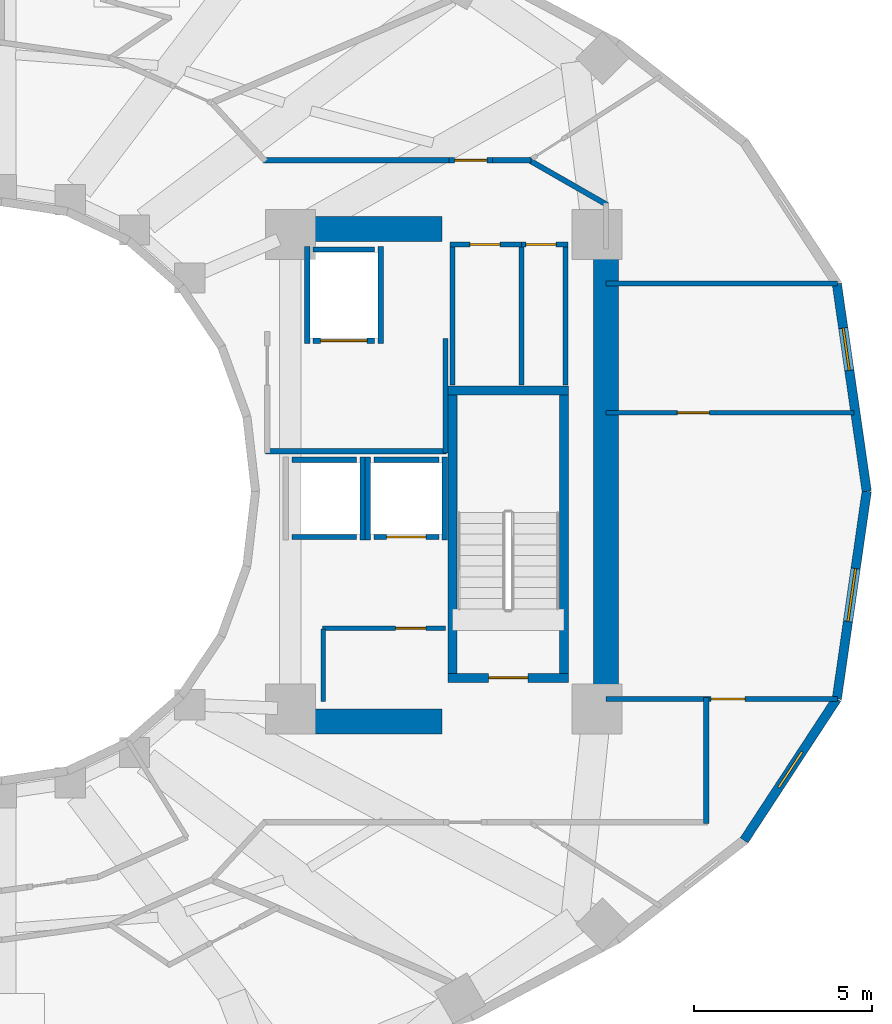
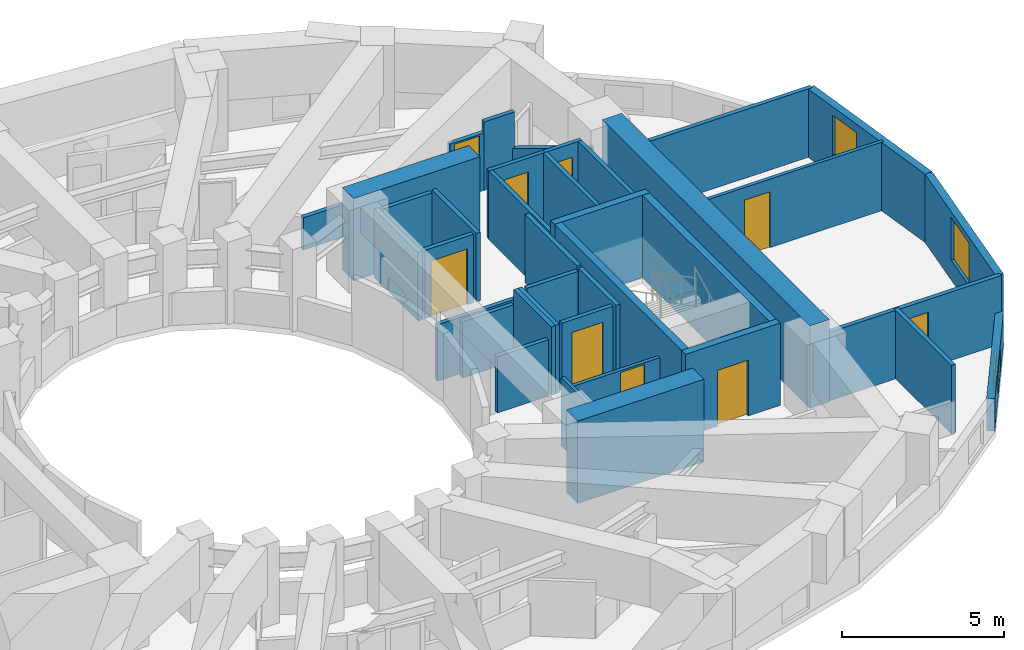
# One storey, part 6 of 9: 38 walls, 9 doors, 3 windows, 12 openings.
"""IFC4 building model written with IfcOpenShell, lengths in metres."""

from ifc_helpers import new_model, si_unit, direction, frame, frame_2d, origin, place, context, subcontext, project, spatial, rectangle, extrude, material, layer, layer_set, type_object, element, fill, save


model = new_model("IFC4")

# Units and contexts
model_context = context("Model", 3, precision=1e-05, world=origin(), true_north=direction((0.0, 1.0)))
body_context = subcontext(model_context, "Body", "Model", "MODEL_VIEW")
ifc_project = project(units=[si_unit("LENGTHUNIT", "METRE"), si_unit("AREAUNIT", "SQUARE_METRE"), si_unit("VOLUMEUNIT", "CUBIC_METRE"), si_unit("PLANEANGLEUNIT", "RADIAN"), si_unit("MASSUNIT", "GRAM", prefix="KILO")], contexts=[model_context])

# Site, building, storey
site_placement = place(None, origin())
site = spatial("IfcSite", under=ifc_project, at=site_placement, CompositionType="ELEMENT")
building_placement = place(site_placement, origin())
building = spatial("IfcBuilding", under=site, at=building_placement, Name="Solvane Sanctuary Tower", CompositionType="ELEMENT")
storey_placement = place(building_placement, frame((0.0, 0.0, 125.89990234375)))
storey = spatial("IfcBuildingStorey", under=building, at=storey_placement, Name="L38", CompositionType="ELEMENT", Elevation=125.89990234375)

# Walls
ifc_material_1 = material(Name="Concrete C60/75", Category="concrete")
ifc_layer_1 = layer(ifc_material_1, 0.699951171875, Name="Concrete C60/75")
ifc_layer_set_1 = layer_set([ifc_layer_1], Name="Concrete C60/75")
wall_type_1 = type_object("IfcWallType", Name="Wall W-CORE-700", PredefinedType="SHEAR", material=ifc_layer_set_1)
wall_1_placement = place(storey_placement, frame((48.949951171875, 17.050048828125, 0.0), z_axis=(0.0, 0.0, 1.0), x_axis=(0.0, 1.0, 0.0)))
element("IfcWall", 1, at=wall_1_placement, inside=storey, type_object=wall_type_1, Name="L38 Core Shear Wall EC-E", PredefinedType="SHEAR", context=body_context, shape_type="SweptSolid", body=[
    extrude(rectangle(XDim=12.800048828125, YDim=0.699951171875, at=frame_2d((6.39990234375, 0.0))), origin(), (0.0, 0.0, 1.0), 3.10009765625),
])
for number, where, z_axis, x_axis, name in (
    (2, (39.85009765625, 16.550048828125, 0.0), (0.0, 0.0, 1.0), (1.0, 0.0, 0.0), "L38 Core Shear Wall EC-S"),
    (3, (39.85009765625, 30.35009765625, 0.0), (0.0, 0.0, 1.0), (1.0, 0.0, 0.0), "L38 Core Shear Wall EC-N"),
):
    element("IfcWall", number, at=place(storey_placement, frame(where, z_axis=z_axis, x_axis=x_axis)), inside=storey, type_object=wall_type_1, Name=name, PredefinedType="SHEAR", context=body_context, shape_type="SweptSolid", body=[
        extrude(rectangle(XDim=4.5, YDim=0.699951171875, at=frame_2d((2.25, 0.0))), origin(), (0.0, 0.0, 1.0), 3.10009765625),
    ])
ifc_material_2 = material(Name="Acoustic Gypsum Partition Board")
ifc_layer_2 = layer(ifc_material_2, 0.14990234375, Name="Acoustic Gypsum Partition Board")
ifc_layer_set_2 = layer_set([ifc_layer_2], Name="Acoustic Gypsum Partition Board")
wall_type_2 = type_object("IfcWallType", Name="Wall W-CORR-150", PredefinedType="PARTITIONING", material=ifc_layer_set_2)
wall_2_placement = place(storey_placement, frame((39.39990234375, 24.1201171875, 0.0), z_axis=(0.0, 0.0, 1.0), x_axis=(1.0, 0.0, 0.0)))
element("IfcWall", 4, at=wall_2_placement, inside=storey, type_object=wall_type_2, Name="L38 East Firefighting Lobby South Wall", PredefinedType="PARTITIONING", context=body_context, shape_type="SweptSolid", body=[
    extrude(rectangle(XDim=5.080078125, YDim=0.14990234375, at=frame_2d((2.5400390625, 0.0))), origin(), (0.0, 0.0, 1.0), 2.1201171875),
])
wall_3_placement = place(storey_placement, frame((44.449951171875, 24.080078125, 0.0), z_axis=(0.0, 0.0, 1.0), x_axis=(0.0, 1.0, 0.0)))
element("IfcWall", 5, at=wall_3_placement, inside=storey, type_object=wall_type_2, Name="L38 East Firefighting Lobby East Wall", PredefinedType="PARTITIONING", context=body_context, shape_type="SweptSolid", body=[
    extrude(rectangle(XDim=3.199951171875, YDim=0.14990234375, at=frame_2d((1.60009765625, 0.0))), origin(), (0.0, 0.0, 1.0), 2.5751953125),
])

# Wall, opening, door
wall_4_placement = place(storey_placement, frame((48.949951171875, 17.1748046875, 0.0), z_axis=(0.0, 0.0, 1.0), x_axis=(1.0, 0.0, 0.0)))
wall_4 = element("IfcWall", 6, at=wall_4_placement, inside=storey, type_object=wall_type_2, Name="L38 East Shoulder South Wall", PredefinedType="PARTITIONING", context=body_context, shape_type="SweptSolid", body=[
    extrude(rectangle(XDim=6.49169921875, YDim=0.14990234375, at=frame_2d((3.245849609375, 0.0))), origin(), (0.0, 0.0, 1.0), 2.5751953125),
])
opening_1_placement = place(wall_4_placement, frame((2.947509765625, 0.0, 0.0)))
opening_1 = element("IfcOpeningElement", 7, at=opening_1_placement, cuts=wall_4, Name="Opening D-L38-12", PredefinedType="OPENING", context=body_context, shape_type="SweptSolid", body=[
    extrude(rectangle(XDim=0.949951171875, YDim=2.10009765625, at=frame_2d((0.47509765625, 1.050048828125))), frame((0.0, 0.0849609375, 0.0), z_axis=(0.0, -1.0, 0.0), x_axis=(1.0, 0.0, 0.0)), (0.0, 0.0, 1.0), 0.169921875),
])
ifc_material_3 = material(Name="Engineered Tropical Hardwood", Category="wood")
door_type_1 = type_object("IfcDoorType", Name="Door D-ROOM-950", OperationType="NOTDEFINED", PredefinedType="DOOR", material=ifc_material_3)
door_1_placement = place(opening_1_placement, origin())
door_1 = element("IfcDoor", 8, at=door_1_placement, inside=storey, type_object=door_type_1, Name="L38 East Shoulder South Door", OperationType="SINGLE_SWING_RIGHT", OverallHeight=2.10009765625, OverallWidth=0.949951171875, PredefinedType="DOOR", context=body_context, shape_type="SweptSolid", body=[
    extrude(rectangle(XDim=0.949951171875, YDim=2.10009765625, at=frame_2d((0.47509765625, 1.050048828125))), frame((0.0, 0.02490234375, 0.0), z_axis=(0.0, -1.0, 0.0), x_axis=(1.0, 0.0, 0.0)), (0.0, 0.0, 1.0), 0.050048828125),
])
fill(opening_1, door_1)

# Walls
wall_5_placement = place(storey_placement, frame((48.949951171875, 28.8251953125, 0.0), z_axis=(0.0, 0.0, 1.0), x_axis=(1.0, 0.0, 0.0)))
element("IfcWall", 9, at=wall_5_placement, inside=storey, type_object=wall_type_2, Name="L38 East Shoulder North Wall", PredefinedType="PARTITIONING", context=body_context, shape_type="SweptSolid", body=[
    extrude(rectangle(XDim=6.49169921875, YDim=0.14990234375, at=frame_2d((3.245849609375, 0.0))), origin(), (0.0, 0.0, 1.0), 2.5751953125),
])
wall_6_placement = place(storey_placement, frame((39.330078125, 32.280029296875, 0.0), z_axis=(0.0, 0.0, 1.0), x_axis=(1.0, 0.0, 0.0)))
element("IfcWall", 10, at=wall_6_placement, inside=storey, type_object=wall_type_2, Name="L38 NE Corner Corridor Wall", PredefinedType="PARTITIONING", context=body_context, shape_type="SweptSolid", body=[
    extrude(rectangle(XDim=5.217529296875, YDim=0.14990234375, at=frame_2d((2.60888671875, 0.0))), origin(), (0.0, 0.0, 1.0), 1.22021484375),
])

# Wall, opening, door
wall_7_placement = place(storey_placement, frame((44.547607421875, 32.280029296875, 0.0), z_axis=(0.0, 0.0, 1.0), x_axis=(1.0, 0.0, 0.0)))
wall_7 = element("IfcWall", 11, at=wall_7_placement, inside=storey, type_object=wall_type_2, Name="L38 NE Corner Corridor Wall", PredefinedType="PARTITIONING", context=body_context, shape_type="SweptSolid", body=[
    extrude(rectangle(XDim=1.219970703125, YDim=0.14990234375, at=frame_2d((0.60986328125, 0.0))), origin(), (0.0, 0.0, 1.0), 2.16015625),
])
opening_2_placement = place(wall_7_placement, frame((0.159912109375, 0.0, 0.0)))
opening_2 = element("IfcOpeningElement", 12, at=opening_2_placement, cuts=wall_7, Name="Opening D-L38-16", PredefinedType="OPENING", context=body_context, shape_type="SweptSolid", body=[
    extrude(rectangle(XDim=0.89990234375, YDim=2.10009765625, at=frame_2d((0.449951171875, 1.050048828125))), frame((0.0, 0.0849609375, 0.0), z_axis=(0.0, -1.0, 0.0), x_axis=(1.0, 0.0, 0.0)), (0.0, 0.0, 1.0), 0.169921875),
])
door_type_2 = type_object("IfcDoorType", Name="Door D-WET-900", OperationType="NOTDEFINED", PredefinedType="DOOR", material=ifc_material_3)
door_2_placement = place(opening_2_placement, origin())
door_2 = element("IfcDoor", 13, at=door_2_placement, inside=storey, type_object=door_type_2, Name="L38 NE Corner Salon Door", OperationType="SINGLE_SWING_RIGHT", OverallHeight=2.10009765625, OverallWidth=0.89990234375, PredefinedType="DOOR", context=body_context, shape_type="SweptSolid", body=[
    extrude(rectangle(XDim=0.89990234375, YDim=2.10009765625, at=frame_2d((0.449951171875, 1.050048828125))), frame((0.0, 0.02490234375, 0.0), z_axis=(0.0, -1.0, 0.0), x_axis=(1.0, 0.0, 0.0)), (0.0, 0.0, 1.0), 0.050048828125),
])
fill(opening_2, door_2)

# Walls
wall_8_placement = place(storey_placement, frame((45.767578125, 32.280029296875, 0.0), z_axis=(0.0, 0.0, 1.0), x_axis=(1.0, 0.0, 0.0)))
element("IfcWall", 14, at=wall_8_placement, inside=storey, type_object=wall_type_2, Name="L38 NE Corner Corridor Wall", PredefinedType="PARTITIONING", context=body_context, shape_type="SweptSolid", body=[
    extrude(rectangle(XDim=1.08251953125, YDim=0.14990234375, at=frame_2d((0.541259765625, 0.0))), origin(), (0.0, 0.0, 1.0), 2.5751953125),
])
wall_9_placement = place(storey_placement, frame((46.756591796875, 32.3046875, 0.0), z_axis=(0.0, 0.0, 1.0), x_axis=(0.867991349648, -0.496579315857, 0.0)))
element("IfcWall", 15, at=wall_9_placement, inside=storey, type_object=wall_type_2, Name="L38 NE Corner Wing Wall", PredefinedType="PARTITIONING", context=body_context, shape_type="SweptSolid", body=[
    extrude(rectangle(XDim=2.56689453125, YDim=0.14990234375, at=frame_2d((1.283447265625, 0.0))), origin(), (0.0, 0.0, 1.0), 1.22021484375),
])
wall_10_placement = place(storey_placement, frame((51.760009765625, 13.679931640625, 0.0), z_axis=(0.0, 0.0, 1.0), x_axis=(0.0, 1.0, 0.0)))
element("IfcWall", 16, at=wall_10_placement, inside=storey, type_object=wall_type_2, Name="L38 SE Corner Closer 1", PredefinedType="PARTITIONING", context=body_context, shape_type="SweptSolid", body=[
    extrude(rectangle(XDim=3.534912109375, YDim=0.14990234375, at=frame_2d((1.767578125, 0.0))), origin(), (0.0, 0.0, 1.0), 2.5751953125),
])

# Wall, opening, window
ifc_material_4 = material(Name="Precast concrete C40/50", Category="concrete")
ifc_layer_3 = layer(ifc_material_4, 0.260009765625, Name="Precast concrete C40/50")
ifc_layer_set_3 = layer_set([ifc_layer_3], Name="Precast concrete C40/50")
wall_type_3 = type_object("IfcWallType", Name="Wall W-EXT-250", PredefinedType="STANDARD", material=ifc_layer_set_3)
wall_11_placement = place(storey_placement, frame((56.260009765625, 23.0, 0.0), z_axis=(0.0, 0.0, 1.0), x_axis=(-0.142572472068, 0.98978436551, 0.0)))
wall_11 = element("IfcWall", 17, at=wall_11_placement, inside=storey, type_object=wall_type_3, Name="L38 Ceramic-Printed Facade Wall 00", PredefinedType="STANDARD", context=body_context, shape_type="SweptSolid", body=[
    extrude(rectangle(XDim=5.878662109375, YDim=0.260009765625, at=frame_2d((2.939453125, 0.0))), origin(), (0.0, 0.0, 1.0), 2.570068359375),
])
opening_3_placement = place(wall_11_placement, frame((3.42578125, 0.0, 0.75)))
opening_3 = element("IfcOpeningElement", 18, at=opening_3_placement, cuts=wall_11, Name="Opening WN-OPER-1200", PredefinedType="OPENING", context=body_context, shape_type="SweptSolid", body=[
    extrude(rectangle(XDim=1.199951171875, YDim=1.5, at=frame_2d((0.60009765625, 0.75))), frame((0.0, 0.139892578125, 0.0), z_axis=(0.0, -1.0, 0.0), x_axis=(1.0, 0.0, 0.0)), (0.0, 0.0, 1.0), 0.280029296875),
])
ifc_material_5 = material(Name="Dark Ceramic-Fritted Low-E Glass", Category="glass")
window_type_1 = type_object("IfcWindowType", Name="Window WN-OPER-1200", PartitioningType="SINGLE_PANEL", PredefinedType="WINDOW", material=ifc_material_5)
window_1_placement = place(opening_3_placement, origin())
window_1 = element("IfcWindow", 19, at=window_1_placement, inside=storey, type_object=window_type_1, Name="L38 Operable Facade Window 00", OverallHeight=1.5, OverallWidth=1.199951171875, PartitioningType="SINGLE_PANEL", PredefinedType="WINDOW", context=body_context, shape_type="SweptSolid", body=[
    extrude(rectangle(XDim=1.199951171875, YDim=1.5, at=frame_2d((0.60009765625, 0.75))), frame((0.0, 0.030029296875, 0.0), z_axis=(0.0, -1.0, 0.0), x_axis=(1.0, 0.0, 0.0)), (0.0, 0.0, 1.0), 0.06005859375),
])
fill(opening_3, window_1)

wall_12_placement = place(storey_placement, frame((52.820556640625, 13.213623046875, 0.0), z_axis=(0.0, 0.0, 1.0), x_axis=(0.548283220945, 0.836292717672, 0.0)))
wall_12 = element("IfcWall", 20, at=wall_12_placement, inside=storey, type_object=wall_type_3, Name="L38 Ceramic-Printed Facade Wall 22", PredefinedType="STANDARD", context=body_context, shape_type="SweptSolid", body=[
    extrude(rectangle(XDim=4.744384765625, YDim=0.260009765625, at=frame_2d((2.3720703125, 0.0))), origin(), (0.0, 0.0, 1.0), 1.22021484375),
])
opening_4_placement = place(wall_12_placement, frame((1.772216796875, 0.0, 0.14990234375)))
opening_4 = element("IfcOpeningElement", 21, at=opening_4_placement, cuts=wall_12, Name="Opening WN-OPER-1200", PredefinedType="OPENING", context=body_context, shape_type="SweptSolid", body=[
    extrude(rectangle(XDim=1.199951171875, YDim=0.89990234375, at=frame_2d((0.60009765625, 0.449951171875))), frame((0.0, 0.139892578125, 0.0), z_axis=(0.0, -1.0, 0.0), x_axis=(1.0, 0.0, 0.0)), (0.0, 0.0, 1.0), 0.280029296875),
])
window_2_placement = place(opening_4_placement, origin())
window_2 = element("IfcWindow", 22, at=window_2_placement, inside=storey, type_object=window_type_1, Name="L38 Operable Facade Window 22", OverallHeight=0.89990234375, OverallWidth=1.199951171875, PartitioningType="SINGLE_PANEL", PredefinedType="WINDOW", context=body_context, shape_type="SweptSolid", body=[
    extrude(rectangle(XDim=1.199951171875, YDim=0.89990234375, at=frame_2d((0.60009765625, 0.449951171875))), frame((0.0, 0.030029296875, 0.0), z_axis=(0.0, -1.0, 0.0), x_axis=(1.0, 0.0, 0.0)), (0.0, 0.0, 1.0), 0.06005859375),
])
fill(opening_4, window_2)

wall_13_placement = place(storey_placement, frame((55.421875, 17.181396484375, 0.0), z_axis=(0.0, 0.0, 1.0), x_axis=(0.142572472068, 0.98978436551, 0.0)))
wall_13 = element("IfcWall", 23, at=wall_13_placement, inside=storey, type_object=wall_type_3, Name="L38 Ceramic-Printed Facade Wall 23", PredefinedType="STANDARD", context=body_context, shape_type="SweptSolid", body=[
    extrude(rectangle(XDim=5.878662109375, YDim=0.260009765625, at=frame_2d((2.939453125, 0.0))), origin(), (0.0, 0.0, 1.0), 2.570068359375),
])
opening_5_placement = place(wall_13_placement, frame((2.189453125, 0.0, 0.75)))
opening_5 = element("IfcOpeningElement", 24, at=opening_5_placement, cuts=wall_13, Name="Opening WN-OPER-1500", PredefinedType="OPENING", context=body_context, shape_type="SweptSolid", body=[
    extrude(rectangle(XDim=1.5, YDim=1.60009765625, at=frame_2d((0.75, 0.800048828125))), frame((0.0, 0.139892578125, 0.0), z_axis=(0.0, -1.0, 0.0), x_axis=(1.0, 0.0, 0.0)), (0.0, 0.0, 1.0), 0.280029296875),
])
window_type_2 = type_object("IfcWindowType", Name="Window WN-OPER-1500", PartitioningType="SINGLE_PANEL", PredefinedType="WINDOW", material=ifc_material_5)
window_3_placement = place(opening_5_placement, origin())
window_3 = element("IfcWindow", 25, at=window_3_placement, inside=storey, type_object=window_type_2, Name="L38 Operable Facade Window 23", OverallHeight=1.60009765625, OverallWidth=1.5, PartitioningType="SINGLE_PANEL", PredefinedType="WINDOW", context=body_context, shape_type="SweptSolid", body=[
    extrude(rectangle(XDim=1.5, YDim=1.60009765625, at=frame_2d((0.75, 0.800048828125))), frame((0.0, 0.030029296875, 0.0), z_axis=(0.0, -1.0, 0.0), x_axis=(1.0, 0.0, 0.0)), (0.0, 0.0, 1.0), 0.06005859375),
])
fill(opening_5, window_3)

# Wall, opening, door
ifc_layer_4 = layer(ifc_material_2, 0.1201171875, Name="Acoustic Gypsum Partition Board")
ifc_layer_set_4 = layer_set([ifc_layer_4], Name="Acoustic Gypsum Partition Board")
wall_type_4 = type_object("IfcWallType", Name="Wall W-MOV-100", PredefinedType="MOVABLE", material=ifc_layer_set_4)
wall_14_placement = place(storey_placement, frame((48.949951171875, 25.199951171875, 0.0), z_axis=(0.0, 0.0, 1.0), x_axis=(1.0, 0.0, 0.0)))
wall_14 = element("IfcWall", 26, at=wall_14_placement, inside=storey, type_object=wall_type_4, Name="L38 East Suite Partition", PredefinedType="MOVABLE", context=body_context, shape_type="SweptSolid", body=[
    extrude(rectangle(XDim=6.953369140625, YDim=0.1201171875, at=frame_2d((3.4765625, 0.0))), origin(), (0.0, 0.0, 1.0), 2.5751953125),
])
opening_6_placement = place(wall_14_placement, frame((2.0, 0.0, 0.0)))
opening_6 = element("IfcOpeningElement", 27, at=opening_6_placement, cuts=wall_14, Name="Opening D-L38-13", PredefinedType="OPENING", context=body_context, shape_type="SweptSolid", body=[
    extrude(rectangle(XDim=0.89990234375, YDim=2.10009765625, at=frame_2d((0.449951171875, 1.050048828125))), frame((0.0, 0.070068359375, 0.0), z_axis=(0.0, -1.0, 0.0), x_axis=(1.0, 0.0, 0.0)), (0.0, 0.0, 1.0), 0.14013671875),
])
door_3_placement = place(opening_6_placement, origin())
door_3 = element("IfcDoor", 28, at=door_3_placement, inside=storey, type_object=door_type_2, Name="L38 East Suite Internal Door", OperationType="SINGLE_SWING_LEFT", OverallHeight=2.10009765625, OverallWidth=0.89990234375, PredefinedType="DOOR", context=body_context, shape_type="SweptSolid", body=[
    extrude(rectangle(XDim=0.89990234375, YDim=2.10009765625, at=frame_2d((0.449951171875, 1.050048828125))), frame((0.0, 0.02490234375, 0.0), z_axis=(0.0, -1.0, 0.0), x_axis=(1.0, 0.0, 0.0)), (0.0, 0.0, 1.0), 0.050048828125),
])
fill(opening_6, door_3)

ifc_layer_5 = layer(ifc_material_2, 0.125, Name="Acoustic Gypsum Partition Board")
ifc_layer_set_5 = layer_set([ifc_layer_5], Name="Acoustic Gypsum Partition Board")
wall_type_5 = type_object("IfcWallType", Name="Wall W-PART-125", PredefinedType="PARTITIONING", material=ifc_layer_set_5)
wall_15_placement = place(storey_placement, frame((41.0, 19.159912109375, 0.0), z_axis=(0.0, 0.0, 1.0), x_axis=(1.0, 0.0, 0.0)))
wall_15 = element("IfcWall", 29, at=wall_15_placement, inside=storey, type_object=wall_type_5, Name="L38 Reclaimed Room Partition PLE", PredefinedType="PARTITIONING", context=body_context, shape_type="SweptSolid", body=[
    extrude(rectangle(XDim=3.449951171875, YDim=0.125, at=frame_2d((1.72509765625, 0.0))), origin(), (0.0, 0.0, 1.0), 2.1201171875),
])
opening_7_placement = place(wall_15_placement, frame((2.050048828125, 0.0, 0.0)))
opening_7 = element("IfcOpeningElement", 30, at=opening_7_placement, cuts=wall_15, Name="Opening D-L38-07", PredefinedType="OPENING", context=body_context, shape_type="SweptSolid", body=[
    extrude(rectangle(XDim=0.85009765625, YDim=2.050048828125, at=frame_2d((0.425048828125, 1.02490234375))), frame((0.0, 0.072509765625, 0.0), z_axis=(0.0, -1.0, 0.0), x_axis=(1.0, 0.0, 0.0)), (0.0, 0.0, 1.0), 0.14501953125),
])
ifc_material_6 = material(Name="Architectural Stainless Steel 316", Category="steel")
door_type_3 = type_object("IfcDoorType", Name="Door D-RISER", OperationType="NOTDEFINED", PredefinedType="DOOR", material=ifc_material_6)
door_4_placement = place(opening_7_placement, origin())
door_4 = element("IfcDoor", 31, at=door_4_placement, inside=storey, type_object=door_type_3, Name="L38 Reclaimed Room Door PLE-1", OperationType="SINGLE_SWING_LEFT", OverallHeight=2.050048828125, OverallWidth=0.85009765625, PredefinedType="DOOR", context=body_context, shape_type="SweptSolid", body=[
    extrude(rectangle(XDim=0.85009765625, YDim=2.050048828125, at=frame_2d((0.425048828125, 1.02490234375))), frame((0.0, 0.02490234375, 0.0), z_axis=(0.0, -1.0, 0.0), x_axis=(1.0, 0.0, 0.0)), (0.0, 0.0, 1.0), 0.050048828125),
])
fill(opening_7, door_4)

# Wall
wall_16_placement = place(storey_placement, frame((41.02001953125, 17.10009765625, 0.0), z_axis=(0.0, 0.0, 1.0), x_axis=(0.0, 1.0, 0.0)))
element("IfcWall", 32, at=wall_16_placement, inside=storey, type_object=wall_type_5, Name="L38 Reclaimed Room Closer Wall PLE-1", PredefinedType="PARTITIONING", context=body_context, shape_type="SweptSolid", body=[
    extrude(rectangle(XDim=2.039794921875, YDim=0.125, at=frame_2d((1.02001953125, 0.0))), origin(), (0.0, 0.0, 1.0), 2.5751953125),
])

# Wall, opening, door
ifc_material_7 = material(Name="Concrete C50/60", Category="concrete")
ifc_layer_6 = layer(ifc_material_7, 0.14990234375, Name="Concrete C50/60")
ifc_layer_set_6 = layer_set([ifc_layer_6], Name="Concrete C50/60")
wall_type_6 = type_object("IfcWallType", Name="Wall W-SHAFT-150", PredefinedType="SOLIDWALL", material=ifc_layer_set_6)
wall_17_placement = place(storey_placement, frame((42.43994140625, 21.719970703125, 0.0), z_axis=(0.0, 0.0, 1.0), x_axis=(1.0, 0.0, 0.0)))
wall_17 = element("IfcWall", 33, at=wall_17_placement, inside=storey, type_object=wall_type_6, Name="L38 PM-2 Lift Shaft Wall F", PredefinedType="SOLIDWALL", context=body_context, shape_type="SweptSolid", body=[
    extrude(rectangle(XDim=1.820068359375, YDim=0.14990234375, at=frame_2d((0.91015625, 0.0))), origin(), (0.0, 0.0, 1.0), 2.5751953125),
])
opening_8_placement = place(wall_17_placement, frame((0.360107421875, 0.0, 0.0)))
opening_8 = element("IfcOpeningElement", 34, at=opening_8_placement, cuts=wall_17, Name="Opening LD-L38-02", PredefinedType="OPENING", context=body_context, shape_type="SweptSolid", body=[
    extrude(rectangle(XDim=1.10009765625, YDim=2.10009765625, at=frame_2d((0.550048828125, 1.050048828125))), frame((0.0, 0.0849609375, 0.0), z_axis=(0.0, -1.0, 0.0), x_axis=(1.0, 0.0, 0.0)), (0.0, 0.0, 1.0), 0.169921875),
])
door_type_4 = type_object("IfcDoorType", Name="Door LD-PASS-1100", OperationType="NOTDEFINED", PredefinedType="DOOR", material=ifc_material_6)
door_5_placement = place(opening_8_placement, origin())
door_5 = element("IfcDoor", 35, at=door_5_placement, inside=storey, type_object=door_type_4, Name="L38 PM-2 Lift Landing Door", OperationType="DOUBLE_DOOR_SLIDING", OverallHeight=2.10009765625, OverallWidth=1.10009765625, PredefinedType="DOOR", context=body_context, shape_type="SweptSolid", body=[
    extrude(rectangle(XDim=1.10009765625, YDim=2.10009765625, at=frame_2d((0.550048828125, 1.050048828125))), frame((0.0, 0.02490234375, 0.0), z_axis=(0.0, -1.0, 0.0), x_axis=(1.0, 0.0, 0.0)), (0.0, 0.0, 1.0), 0.050048828125),
])
fill(opening_8, door_5)

# Walls
wall_18_placement = place(storey_placement, frame((42.43994140625, 23.8798828125, 0.0), z_axis=(0.0, 0.0, 1.0), x_axis=(1.0, 0.0, 0.0)))
element("IfcWall", 36, at=wall_18_placement, inside=storey, type_object=wall_type_6, Name="L38 PM-2 Lift Shaft Wall B", PredefinedType="SOLIDWALL", context=body_context, shape_type="SweptSolid", body=[
    extrude(rectangle(XDim=1.820068359375, YDim=0.14990234375, at=frame_2d((0.91015625, 0.0))), origin(), (0.0, 0.0, 1.0), 2.5751953125),
])
for number, where, z_axis, x_axis, name in (
    (37, (42.27001953125, 21.639892578125, 0.0), (0.0, 0.0, 1.0), (0.0, 1.0, 0.0), "L38 PM-2 Lift Shaft Wall S1"),
    (38, (44.429931640625, 21.639892578125, 0.0), (0.0, 0.0, 1.0), (0.0, 1.0, 0.0), "L38 PM-2 Lift Shaft Wall S2"),
):
    element("IfcWall", number, at=place(storey_placement, frame(where, z_axis=z_axis, x_axis=x_axis)), inside=storey, type_object=wall_type_6, Name=name, PredefinedType="SOLIDWALL", context=body_context, shape_type="SweptSolid", body=[
        extrude(rectangle(XDim=2.320068359375, YDim=0.14990234375, at=frame_2d((1.16015625, 0.0))), origin(), (0.0, 0.0, 1.0), 2.5751953125),
    ])
for number, where, z_axis, x_axis, name in (
    (39, (40.139892578125, 21.719970703125, 0.0), (0.0, 0.0, 1.0), (1.0, 0.0, 0.0), "L38 PH-2 Lift Shaft Wall F"),
    (40, (40.139892578125, 23.8798828125, 0.0), (0.0, 0.0, 1.0), (1.0, 0.0, 0.0), "L38 PH-2 Lift Shaft Wall B"),
):
    element("IfcWall", number, at=place(storey_placement, frame(where, z_axis=z_axis, x_axis=x_axis)), inside=storey, type_object=wall_type_6, Name=name, PredefinedType="SOLIDWALL", context=body_context, shape_type="SweptSolid", body=[
        extrude(rectangle(XDim=1.820068359375, YDim=0.14990234375, at=frame_2d((0.91015625, 0.0))), origin(), (0.0, 0.0, 1.0), 2.1201171875),
    ])
wall_19_placement = place(storey_placement, frame((42.1298828125, 21.639892578125, 0.0), z_axis=(0.0, 0.0, 1.0), x_axis=(0.0, 1.0, 0.0)))
element("IfcWall", 41, at=wall_19_placement, inside=storey, type_object=wall_type_6, Name="L38 PH-2 Lift Shaft Wall S2", PredefinedType="SOLIDWALL", context=body_context, shape_type="SweptSolid", body=[
    extrude(rectangle(XDim=2.320068359375, YDim=0.14990234375, at=frame_2d((1.16015625, 0.0))), origin(), (0.0, 0.0, 1.0), 2.5751953125),
])

# Wall, opening, door
wall_20_placement = place(storey_placement, frame((40.739990234375, 27.219970703125, 0.0), z_axis=(0.0, 0.0, 1.0), x_axis=(1.0, 0.0, 0.0)))
wall_20 = element("IfcWall", 42, at=wall_20_placement, inside=storey, type_object=wall_type_6, Name="L38 FFL-2 Lift Shaft Wall F", PredefinedType="SOLIDWALL", context=body_context, shape_type="SweptSolid", body=[
    extrude(rectangle(XDim=1.719970703125, YDim=0.14990234375, at=frame_2d((0.85986328125, 0.0))), origin(), (0.0, 0.0, 1.0), 2.5751953125),
])
opening_9_placement = place(wall_20_placement, frame((0.2099609375, 0.0, 0.0)))
opening_9 = element("IfcOpeningElement", 43, at=opening_9_placement, cuts=wall_20, Name="Opening LD-L38-05", PredefinedType="OPENING", context=body_context, shape_type="SweptSolid", body=[
    extrude(rectangle(XDim=1.300048828125, YDim=2.10009765625, at=frame_2d((0.64990234375, 1.050048828125))), frame((0.0, 0.0849609375, 0.0), z_axis=(0.0, -1.0, 0.0), x_axis=(1.0, 0.0, 0.0)), (0.0, 0.0, 1.0), 0.169921875),
])
door_type_5 = type_object("IfcDoorType", Name="Door LD-FFL-1300", OperationType="NOTDEFINED", PredefinedType="DOOR", material=ifc_material_6)
door_6_placement = place(opening_9_placement, origin())
door_6 = element("IfcDoor", 44, at=door_6_placement, inside=storey, type_object=door_type_5, Name="L38 FFL-2 Lift Landing Door", OperationType="DOUBLE_DOOR_SLIDING", OverallHeight=2.10009765625, OverallWidth=1.300048828125, PredefinedType="DOOR", context=body_context, shape_type="SweptSolid", body=[
    extrude(rectangle(XDim=1.300048828125, YDim=2.10009765625, at=frame_2d((0.64990234375, 1.050048828125))), frame((0.0, 0.02490234375, 0.0), z_axis=(0.0, -1.0, 0.0), x_axis=(1.0, 0.0, 0.0)), (0.0, 0.0, 1.0), 0.050048828125),
])
fill(opening_9, door_6)

# Walls
wall_21_placement = place(storey_placement, frame((40.739990234375, 29.780029296875, 0.0), z_axis=(0.0, 0.0, 1.0), x_axis=(1.0, 0.0, 0.0)))
element("IfcWall", 45, at=wall_21_placement, inside=storey, type_object=wall_type_6, Name="L38 FFL-2 Lift Shaft Wall B", PredefinedType="SOLIDWALL", context=body_context, shape_type="SweptSolid", body=[
    extrude(rectangle(XDim=1.719970703125, YDim=0.14990234375, at=frame_2d((0.85986328125, 0.0))), origin(), (0.0, 0.0, 1.0), 2.5751953125),
])
for number, where, z_axis, x_axis, name in (
    (46, (40.570068359375, 27.139892578125, 0.0), (0.0, 0.0, 1.0), (0.0, 1.0, 0.0), "L38 FFL-2 Lift Shaft Wall S1"),
    (47, (42.6298828125, 27.139892578125, 0.0), (0.0, 0.0, 1.0), (0.0, 1.0, 0.0), "L38 FFL-2 Lift Shaft Wall S2"),
):
    element("IfcWall", number, at=place(storey_placement, frame(where, z_axis=z_axis, x_axis=x_axis)), inside=storey, type_object=wall_type_6, Name=name, PredefinedType="SOLIDWALL", context=body_context, shape_type="SweptSolid", body=[
        extrude(rectangle(XDim=2.72021484375, YDim=0.14990234375, at=frame_2d((1.360107421875, 0.0))), origin(), (0.0, 0.0, 1.0), 2.5751953125),
    ])

# Wall, opening, door
ifc_layer_7 = layer(ifc_material_7, 0.25, Name="Concrete C50/60")
ifc_layer_set_7 = layer_set([ifc_layer_7], Name="Concrete C50/60")
wall_type_7 = type_object("IfcWallType", Name="Wall W-SHAFT-250", PredefinedType="SOLIDWALL", material=ifc_layer_set_7)
wall_22_placement = place(storey_placement, frame((44.52490234375, 17.77001953125, 0.0), z_axis=(0.0, 0.0, 1.0), x_axis=(1.0, 0.0, 0.0)))
wall_22 = element("IfcWall", 48, at=wall_22_placement, inside=storey, type_object=wall_type_7, Name="L38 ST-2 Load-Bearing Shaft Wall S", PredefinedType="SOLIDWALL", context=body_context, shape_type="SweptSolid", body=[
    extrude(rectangle(XDim=3.3701171875, YDim=0.25, at=frame_2d((1.68505859375, 0.0))), origin(), (0.0, 0.0, 1.0), 3.10009765625),
])
opening_10_placement = place(wall_22_placement, frame((1.135009765625, 0.0, 0.0)))
opening_10 = element("IfcOpeningElement", 49, at=opening_10_placement, cuts=wall_22, Name="Opening D-L38-02", PredefinedType="OPENING", context=body_context, shape_type="SweptSolid", body=[
    extrude(rectangle(XDim=1.10009765625, YDim=2.10009765625, at=frame_2d((0.550048828125, 1.050048828125))), frame((0.0, 0.135009765625, 0.0), z_axis=(0.0, -1.0, 0.0), x_axis=(1.0, 0.0, 0.0)), (0.0, 0.0, 1.0), 0.27001953125),
])
door_type_6 = type_object("IfcDoorType", Name="Door D-STAIR", OperationType="NOTDEFINED", PredefinedType="DOOR", material=ifc_material_6)
door_7_placement = place(opening_10_placement, origin())
door_7 = element("IfcDoor", 50, at=door_7_placement, inside=storey, type_object=door_type_6, Name="L38 ST-2 Exit Stair Fire Door", OperationType="SINGLE_SWING_LEFT", OverallHeight=2.10009765625, OverallWidth=1.10009765625, PredefinedType="DOOR", context=body_context, shape_type="SweptSolid", body=[
    extrude(rectangle(XDim=1.10009765625, YDim=2.10009765625, at=frame_2d((0.550048828125, 1.050048828125))), frame((0.0, 0.02490234375, 0.0), z_axis=(0.0, -1.0, 0.0), x_axis=(1.0, 0.0, 0.0)), (0.0, 0.0, 1.0), 0.050048828125),
])
fill(opening_10, door_7)

# Walls
wall_23_placement = place(storey_placement, frame((44.52490234375, 25.830078125, 0.0), z_axis=(0.0, 0.0, 1.0), x_axis=(1.0, 0.0, 0.0)))
element("IfcWall", 51, at=wall_23_placement, inside=storey, type_object=wall_type_7, Name="L38 ST-2 Load-Bearing Shaft Wall N", PredefinedType="SOLIDWALL", context=body_context, shape_type="SweptSolid", body=[
    extrude(rectangle(XDim=3.3701171875, YDim=0.25, at=frame_2d((1.68505859375, 0.0))), origin(), (0.0, 0.0, 1.0), 3.10009765625),
])
for number, where, z_axis, x_axis, name in (
    (52, (44.64990234375, 17.89501953125, 0.0), (0.0, 0.0, 1.0), (0.0, 1.0, 0.0), "L38 ST-2 Load-Bearing Shaft Wall W"),
    (53, (47.77001953125, 17.89501953125, 0.0), (0.0, 0.0, 1.0), (0.0, 1.0, 0.0), "L38 ST-2 Load-Bearing Shaft Wall E"),
):
    element("IfcWall", number, at=place(storey_placement, frame(where, z_axis=z_axis, x_axis=x_axis)), inside=storey, type_object=wall_type_7, Name=name, PredefinedType="SOLIDWALL", context=body_context, shape_type="SweptSolid", body=[
        extrude(rectangle(XDim=7.81005859375, YDim=0.25, at=frame_2d((3.905029296875, 0.0))), origin(), (0.0, 0.0, 1.0), 3.10009765625),
    ])

# Wall, opening, door
ifc_layer_8 = layer(ifc_material_2, 0.139892578125, Name="Acoustic Gypsum Partition Board")
ifc_layer_set_8 = layer_set([ifc_layer_8], Name="Acoustic Gypsum Partition Board")
wall_type_8 = type_object("IfcWallType", Name="Wall W-WET-140", PredefinedType="PLUMBINGWALL", material=ifc_layer_set_8)
wall_24_placement = place(storey_placement, frame((44.580078125, 29.919921875, 0.0), z_axis=(0.0, 0.0, 1.0), x_axis=(1.0, 0.0, 0.0)))
wall_24 = element("IfcWall", 54, at=wall_24_placement, inside=storey, type_object=wall_type_8, Name="L38 Core Service Front Wall KE1", PredefinedType="PLUMBINGWALL", context=body_context, shape_type="SweptSolid", body=[
    extrude(rectangle(XDim=2.0, YDim=0.139892578125, at=frame_2d((1.0, 0.0))), origin(), (0.0, 0.0, 1.0), 2.5751953125),
])
opening_11_placement = place(wall_24_placement, frame((0.550048828125, 0.0, 0.0)))
opening_11 = element("IfcOpeningElement", 55, at=opening_11_placement, cuts=wall_24, Name="Opening D-L38-10", PredefinedType="OPENING", context=body_context, shape_type="SweptSolid", body=[
    extrude(rectangle(XDim=0.85009765625, YDim=2.050048828125, at=frame_2d((0.425048828125, 1.02490234375))), frame((0.0, 0.079833984375, 0.0), z_axis=(0.0, -1.0, 0.0), x_axis=(1.0, 0.0, 0.0)), (0.0, 0.0, 1.0), 0.159912109375),
])
door_8_placement = place(opening_11_placement, origin())
door_8 = element("IfcDoor", 56, at=door_8_placement, inside=storey, type_object=door_type_3, Name="L38 Core Service Room Door KE1-1", OperationType="SINGLE_SWING_RIGHT", OverallHeight=2.050048828125, OverallWidth=0.85009765625, PredefinedType="DOOR", context=body_context, shape_type="SweptSolid", body=[
    extrude(rectangle(XDim=0.85009765625, YDim=2.050048828125, at=frame_2d((0.425048828125, 1.02490234375))), frame((0.0, 0.02490234375, 0.0), z_axis=(0.0, -1.0, 0.0), x_axis=(1.0, 0.0, 0.0)), (0.0, 0.0, 1.0), 0.050048828125),
])
fill(opening_11, door_8)

# Walls
for number, where, z_axis, x_axis, name in (
    (57, (44.639892578125, 25.97998046875, 0.0), (0.0, 0.0, 1.0), (0.0, 1.0, 0.0), "L38 Core Service Side Wall KE1-1"),
    (58, (46.580078125, 25.97998046875, 0.0), (0.0, 0.0, 1.0), (0.0, 1.0, 0.0), "L38 Core Service Side Wall KE1-2"),
):
    element("IfcWall", number, at=place(storey_placement, frame(where, z_axis=z_axis, x_axis=x_axis)), inside=storey, type_object=wall_type_8, Name=name, PredefinedType="PLUMBINGWALL", context=body_context, shape_type="SweptSolid", body=[
        extrude(rectangle(XDim=3.880126953125, YDim=0.139892578125, at=frame_2d((1.93994140625, 0.0))), origin(), (0.0, 0.0, 1.0), 2.5751953125),
    ])

# Wall, opening, door
wall_25_placement = place(storey_placement, frame((46.580078125, 29.919921875, 0.0), z_axis=(0.0, 0.0, 1.0), x_axis=(1.0, 0.0, 0.0)))
wall_25 = element("IfcWall", 59, at=wall_25_placement, inside=storey, type_object=wall_type_8, Name="L38 Core Service Front Wall KE2", PredefinedType="PLUMBINGWALL", context=body_context, shape_type="SweptSolid", body=[
    extrude(rectangle(XDim=1.2998046875, YDim=0.139892578125, at=frame_2d((0.64990234375, 0.0))), origin(), (0.0, 0.0, 1.0), 2.5751953125),
])
opening_12_placement = place(wall_25_placement, frame((0.1201171875, 0.0, 0.0)))
opening_12 = element("IfcOpeningElement", 60, at=opening_12_placement, cuts=wall_25, Name="Opening D-L38-11", PredefinedType="OPENING", context=body_context, shape_type="SweptSolid", body=[
    extrude(rectangle(XDim=0.85009765625, YDim=2.050048828125, at=frame_2d((0.425048828125, 1.02490234375))), frame((0.0, 0.079833984375, 0.0), z_axis=(0.0, -1.0, 0.0), x_axis=(1.0, 0.0, 0.0)), (0.0, 0.0, 1.0), 0.159912109375),
])
door_9_placement = place(opening_12_placement, origin())
door_9 = element("IfcDoor", 61, at=door_9_placement, inside=storey, type_object=door_type_3, Name="L38 Core Service Room Door KE2-1", OperationType="SINGLE_SWING_LEFT", OverallHeight=2.050048828125, OverallWidth=0.85009765625, PredefinedType="DOOR", context=body_context, shape_type="SweptSolid", body=[
    extrude(rectangle(XDim=0.85009765625, YDim=2.050048828125, at=frame_2d((0.425048828125, 1.02490234375))), frame((0.0, 0.02490234375, 0.0), z_axis=(0.0, -1.0, 0.0), x_axis=(1.0, 0.0, 0.0)), (0.0, 0.0, 1.0), 0.050048828125),
])
fill(opening_12, door_9)

# Wall
wall_26_placement = place(storey_placement, frame((47.820068359375, 25.97998046875, 0.0), z_axis=(0.0, 0.0, 1.0), x_axis=(0.0, 1.0, 0.0)))
element("IfcWall", 62, at=wall_26_placement, inside=storey, type_object=wall_type_8, Name="L38 Core Service Side Wall KE2-1", PredefinedType="PLUMBINGWALL", context=body_context, shape_type="SweptSolid", body=[
    extrude(rectangle(XDim=3.880126953125, YDim=0.139892578125, at=frame_2d((1.93994140625, 0.0))), origin(), (0.0, 0.0, 1.0), 2.5751953125),
])

save(model, "model.ifc")
